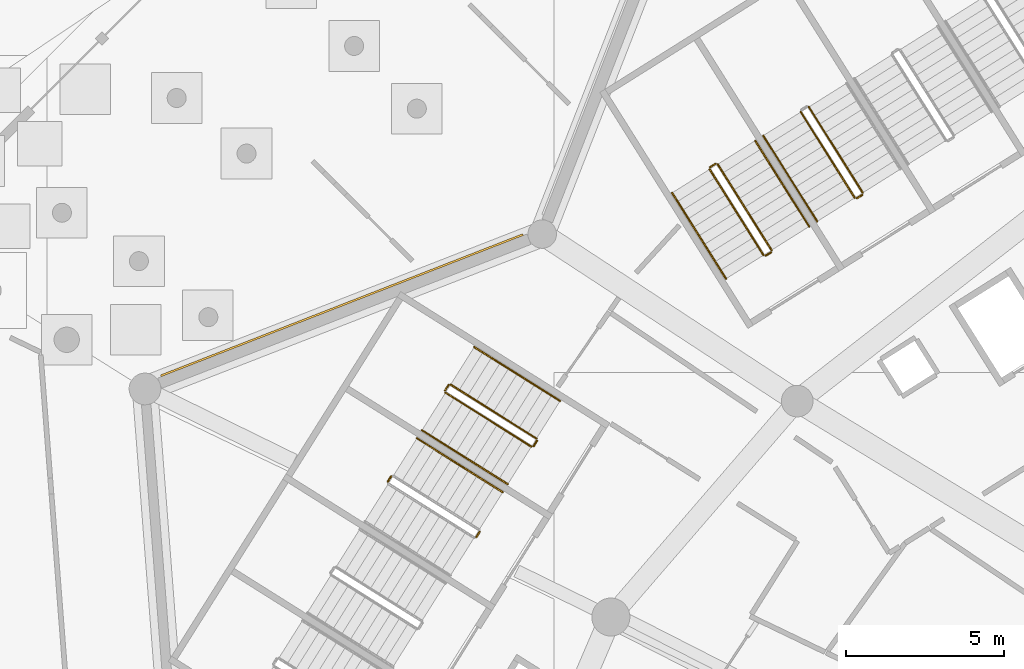
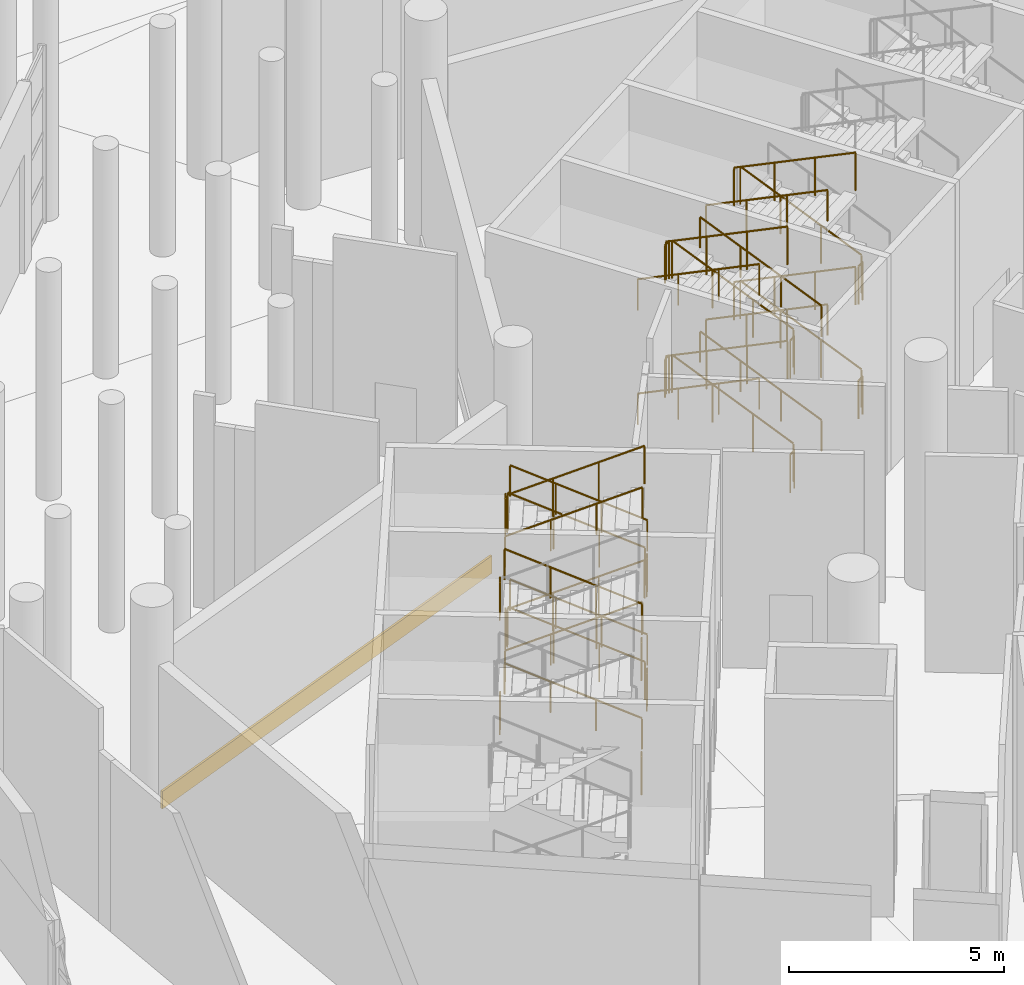
# One storey, part 232 of 255: 38 railings, 1 covering.
"""IFC4 building model written with IfcOpenShell, lengths in metres."""

from ifc_helpers import new_model, si_unit, direction, frame, origin, origin_2d, place, context, subcontext, project, spatial, rectangle, circle, extrude, material, layer, layer_set, type_object, element, save


model = new_model("IFC4")

# Units and contexts
model_context = context("Model", 3, precision=1e-05, world=origin(), true_north=direction((0.0, 1.0)))
body_context = subcontext(model_context, "Body", "Model", "MODEL_VIEW")
ifc_project = project(units=[si_unit("LENGTHUNIT", "METRE"), si_unit("AREAUNIT", "SQUARE_METRE"), si_unit("VOLUMEUNIT", "CUBIC_METRE"), si_unit("PLANEANGLEUNIT", "RADIAN"), si_unit("MASSUNIT", "GRAM", prefix="KILO")], contexts=[model_context])

# Site, building, storey
site_placement = place(None, origin())
site = spatial("IfcSite", under=ifc_project, at=site_placement, CompositionType="ELEMENT")
building_placement = place(site_placement, origin())
building = spatial("IfcBuilding", under=site, at=building_placement, Name="Meseta Stadium", CompositionType="ELEMENT")
storey_placement = place(building_placement, origin())
storey = spatial("IfcBuildingStorey", under=building, at=storey_placement, Name="L00", CompositionType="ELEMENT", Elevation=0.0)

# Covering
ifc_material_1 = material(Name="Guadarrama granite cladding", Category="masonry")
ifc_layer = layer(ifc_material_1, 0.06005859375)
ifc_layer_set = layer_set([ifc_layer], Name="Granite plinth cladding 60")
covering_type = type_object("IfcCoveringType", Name="Granite plinth cladding 60", PredefinedType="CLADDING", material=ifc_layer_set)
covering_placement = place(storey_placement, frame((-86.688232421875, 82.1201171875, 0.0), z_axis=(0.0, 0.0, 1.0), x_axis=(0.931679815252, 0.363280500237, 0.0)))
element("IfcCovering", 1, at=covering_placement, inside=storey, type_object=covering_type, Name="Granite plinth L00 F25", PredefinedType="CLADDING", context=body_context, shape_type="SweptSolid", body=[
    extrude(rectangle(XDim=12.273681640625, YDim=0.06005859375, at=origin_2d()), origin(), (0.0, 0.0, 1.0), 0.5),
])

# Railings
ifc_material_2 = material(Name="Steel S355", Category="steel")
railing_type_1 = type_object("IfcRailingType", Name="Stair guard 1100", PredefinedType="GUARDRAIL", material=ifc_material_2)
railing_1_placement = place(storey_placement, frame((-70.242919921875, 85.669189453125, 0.147705078125)))
element("IfcRailing", 2, at=railing_1_placement, inside=storey, type_object=railing_type_1, Name="ST51 L00 guard 1", PredefinedType="GUARDRAIL", context=body_context, shape_type="SweptSolid", body=[
    extrude(circle(Radius=0.02392578125, at=origin_2d()), frame((0.0, 0.0, 1.076171875), z_axis=(-0.483076039287, 0.768737866935, 0.419141541973), x_axis=(-0.84670136309, -0.53206841829, 0.0)), (0.0, 0.0, 1.0), 3.524658203125),
    extrude(circle(Radius=0.02099609375, at=origin_2d()), origin(), (0.0, 0.0, 1.0), 1.052001953125),
    extrude(circle(Radius=0.02099609375, at=origin_2d()), frame((-0.567626953125, 0.903076171875, 0.492431640625)), (0.0, 0.0, 1.0), 1.052001953125),
    extrude(circle(Radius=0.02099609375, at=origin_2d()), frame((-1.135009765625, 1.806396484375, 0.98486328125)), (0.0, 0.0, 1.0), 1.052001953125),
    extrude(circle(Radius=0.02099609375, at=origin_2d()), frame((-1.70263671875, 2.70947265625, 1.477294921875)), (0.0, 0.0, 1.0), 1.052001953125),
])
railing_2_placement = place(storey_placement, frame((-72.199462890625, 88.218994140625, 1.772705078125)))
element("IfcRailing", 3, at=railing_2_placement, inside=storey, type_object=railing_type_1, Name="ST51 L00 guard 3", PredefinedType="GUARDRAIL", context=body_context, shape_type="SweptSolid", body=[
    extrude(circle(Radius=0.02392578125, at=origin_2d()), frame((0.0, 0.0, 1.076171875), z_axis=(0.483022933061, -0.76876358972, 0.419155566894), x_axis=(0.846735733015, 0.532013720158, 0.0)), (0.0, 0.0, 1.0), 3.5244140625),
    extrude(circle(Radius=0.02099609375, at=origin_2d()), origin(), (0.0, 0.0, 1.0), 1.052001953125),
    extrude(circle(Radius=0.02099609375, at=origin_2d()), frame((0.5673828125, -0.903076171875, 0.492431640625)), (0.0, 0.0, 1.0), 1.052001953125),
    extrude(circle(Radius=0.02099609375, at=origin_2d()), frame((1.135009765625, -1.806396484375, 0.98486328125)), (0.0, 0.0, 1.0), 1.052001953125),
    extrude(circle(Radius=0.02099609375, at=origin_2d()), frame((1.702392578125, -2.70947265625, 1.477294921875)), (0.0, 0.0, 1.0), 1.052001953125),
])
railing_3_placement = place(storey_placement, frame((-70.2587890625, 85.600341796875, 3.25)))
element("IfcRailing", 4, at=railing_3_placement, inside=storey, type_object=railing_type_1, Name="ST51 L00 guard 4", PredefinedType="GUARDRAIL", context=body_context, shape_type="SweptSolid", body=[
    extrude(circle(Radius=0.02392578125, at=origin_2d()), frame((0.0, 0.0, 1.076171875), z_axis=(-0.846416356806, -0.532521690573, 0.0), x_axis=(0.532521690573, -0.846416356806, 0.0)), (0.0, 0.0, 1.0), 0.199951171875),
    extrude(circle(Radius=0.02099609375, at=origin_2d()), origin(), (0.0, 0.0, 1.0), 1.052001953125),
    extrude(circle(Radius=0.02099609375, at=origin_2d()), frame((-0.169189453125, -0.1064453125, 0.0)), (0.0, 0.0, 1.0), 1.052001953125),
])
railing_4_placement = place(storey_placement, frame((-70.242919921875, 85.669189453125, 3.397705078125)))
element("IfcRailing", 5, at=railing_4_placement, inside=storey, type_object=railing_type_1, Name="ST51 L00 guard 5", PredefinedType="GUARDRAIL", context=body_context, shape_type="SweptSolid", body=[
    extrude(circle(Radius=0.02392578125, at=origin_2d()), frame((0.0, 0.0, 1.076171875), z_axis=(-0.483076039287, 0.768737866935, 0.419141541973), x_axis=(-0.84670136309, -0.53206841829, 0.0)), (0.0, 0.0, 1.0), 3.524658203125),
    extrude(circle(Radius=0.02099609375, at=origin_2d()), origin(), (0.0, 0.0, 1.0), 1.052001953125),
    extrude(circle(Radius=0.02099609375, at=origin_2d()), frame((-0.567626953125, 0.903076171875, 0.492431640625)), (0.0, 0.0, 1.0), 1.052001953125),
    extrude(circle(Radius=0.02099609375, at=origin_2d()), frame((-1.135009765625, 1.806396484375, 0.98486328125)), (0.0, 0.0, 1.0), 1.052001953125),
    extrude(circle(Radius=0.02099609375, at=origin_2d()), frame((-1.70263671875, 2.70947265625, 1.477294921875)), (0.0, 0.0, 1.0), 1.052001953125),
])
railing_5_placement = place(storey_placement, frame((-72.199462890625, 88.218994140625, 5.022705078125)))
element("IfcRailing", 6, at=railing_5_placement, inside=storey, type_object=railing_type_1, Name="ST51 L00 guard 7", PredefinedType="GUARDRAIL", context=body_context, shape_type="SweptSolid", body=[
    extrude(circle(Radius=0.02392578125, at=origin_2d()), frame((0.0, 0.0, 1.076171875), z_axis=(0.483022933061, -0.76876358972, 0.419155566894), x_axis=(0.846735733015, 0.532013720158, 0.0)), (0.0, 0.0, 1.0), 3.5244140625),
    extrude(circle(Radius=0.02099609375, at=origin_2d()), origin(), (0.0, 0.0, 1.0), 1.052001953125),
    extrude(circle(Radius=0.02099609375, at=origin_2d()), frame((0.5673828125, -0.903076171875, 0.492431640625)), (0.0, 0.0, 1.0), 1.052001953125),
    extrude(circle(Radius=0.02099609375, at=origin_2d()), frame((1.135009765625, -1.806396484375, 0.98486328125)), (0.0, 0.0, 1.0), 1.052001953125),
    extrude(circle(Radius=0.02099609375, at=origin_2d()), frame((1.702392578125, -2.70947265625, 1.477294921875)), (0.0, 0.0, 1.0), 1.052001953125),
])
railing_6_placement = place(storey_placement, frame((-70.2587890625, 85.600341796875, 0.0)))
element("IfcRailing", 7, at=railing_6_placement, inside=storey, type_object=railing_type_1, Name="ST51 L00 guard 8", PredefinedType="GUARDRAIL", context=body_context, shape_type="SweptSolid", body=[
    extrude(circle(Radius=0.02392578125, at=origin_2d()), frame((0.0, 0.0, 1.076171875), z_axis=(-0.846416356806, -0.532521690573, 0.0), x_axis=(0.532521690573, -0.846416356806, 0.0)), (0.0, 0.0, 1.0), 0.199951171875),
    extrude(circle(Radius=0.02099609375, at=origin_2d()), origin(), (0.0, 0.0, 1.0), 1.052001953125),
    extrude(circle(Radius=0.02099609375, at=origin_2d()), frame((-0.169189453125, -0.1064453125, 0.0)), (0.0, 0.0, 1.0), 1.052001953125),
])
railing_7_placement = place(storey_placement, frame((-73.121826171875, 83.8603515625, 0.147705078125)))
element("IfcRailing", 8, at=railing_7_placement, inside=storey, type_object=railing_type_1, Name="ST52 L00 guard 1", PredefinedType="GUARDRAIL", context=body_context, shape_type="SweptSolid", body=[
    extrude(circle(Radius=0.02392578125, at=origin_2d()), frame((0.0, 0.0, 1.076171875), z_axis=(-0.483076039287, 0.768737866935, 0.419141541973), x_axis=(-0.84670136309, -0.53206841829, 0.0)), (0.0, 0.0, 1.0), 3.524658203125),
    extrude(circle(Radius=0.02099609375, at=origin_2d()), origin(), (0.0, 0.0, 1.0), 1.052001953125),
    extrude(circle(Radius=0.02099609375, at=origin_2d()), frame((-0.567626953125, 0.903076171875, 0.492431640625)), (0.0, 0.0, 1.0), 1.052001953125),
    extrude(circle(Radius=0.02099609375, at=origin_2d()), frame((-1.135009765625, 1.806396484375, 0.98486328125)), (0.0, 0.0, 1.0), 1.052001953125),
    extrude(circle(Radius=0.02099609375, at=origin_2d()), frame((-1.70263671875, 2.70947265625, 1.477294921875)), (0.0, 0.0, 1.0), 1.052001953125),
])
railing_8_placement = place(storey_placement, frame((-74.893310546875, 86.58544921875, 1.625)))
element("IfcRailing", 9, at=railing_8_placement, inside=storey, type_object=railing_type_1, Name="ST52 L00 guard 2", PredefinedType="GUARDRAIL", context=body_context, shape_type="SweptSolid", body=[
    extrude(circle(Radius=0.02392578125, at=origin_2d()), frame((0.0, 0.0, 1.076171875), z_axis=(-0.846762178531, -0.531971628011, 0.0), x_axis=(0.531971628011, -0.846762178531, 0.0)), (0.0, 0.0, 1.0), 0.2001953125),
    extrude(circle(Radius=0.02099609375, at=origin_2d()), origin(), (0.0, 0.0, 1.0), 1.052001953125),
    extrude(circle(Radius=0.02099609375, at=origin_2d()), frame((-0.16943359375, -0.1064453125, 0.0)), (0.0, 0.0, 1.0), 1.052001953125),
])
railing_9_placement = place(storey_placement, frame((-75.078369140625, 86.41015625, 1.772705078125)))
element("IfcRailing", 10, at=railing_9_placement, inside=storey, type_object=railing_type_1, Name="ST52 L00 guard 3", PredefinedType="GUARDRAIL", context=body_context, shape_type="SweptSolid", body=[
    extrude(circle(Radius=0.02392578125, at=origin_2d()), frame((0.0, 0.0, 1.076171875), z_axis=(0.483022933061, -0.76876358972, 0.419155566894), x_axis=(0.846735733015, 0.532013720158, 0.0)), (0.0, 0.0, 1.0), 3.5244140625),
    extrude(circle(Radius=0.02099609375, at=origin_2d()), origin(), (0.0, 0.0, 1.0), 1.052001953125),
    extrude(circle(Radius=0.02099609375, at=origin_2d()), frame((0.5673828125, -0.903076171875, 0.492431640625)), (0.0, 0.0, 1.0), 1.052001953125),
    extrude(circle(Radius=0.02099609375, at=origin_2d()), frame((1.135009765625, -1.806396484375, 0.98486328125)), (0.0, 0.0, 1.0), 1.052001953125),
    extrude(circle(Radius=0.02099609375, at=origin_2d()), frame((1.702392578125, -2.70947265625, 1.477294921875)), (0.0, 0.0, 1.0), 1.052001953125),
])
railing_10_placement = place(storey_placement, frame((-73.1376953125, 83.791259765625, 3.25)))
element("IfcRailing", 11, at=railing_10_placement, inside=storey, type_object=railing_type_1, Name="ST52 L00 guard 4", PredefinedType="GUARDRAIL", context=body_context, shape_type="SweptSolid", body=[
    extrude(circle(Radius=0.02392578125, at=origin_2d()), frame((0.0, 0.0, 1.076171875), z_axis=(-0.846416356806, -0.532521690573, 0.0), x_axis=(0.532521690573, -0.846416356806, 0.0)), (0.0, 0.0, 1.0), 0.199951171875),
    extrude(circle(Radius=0.02099609375, at=origin_2d()), origin(), (0.0, 0.0, 1.0), 1.052001953125),
    extrude(circle(Radius=0.02099609375, at=origin_2d()), frame((-0.169189453125, -0.1064453125, 0.0)), (0.0, 0.0, 1.0), 1.052001953125),
])
railing_11_placement = place(storey_placement, frame((-73.121826171875, 83.8603515625, 3.397705078125)))
element("IfcRailing", 12, at=railing_11_placement, inside=storey, type_object=railing_type_1, Name="ST52 L00 guard 5", PredefinedType="GUARDRAIL", context=body_context, shape_type="SweptSolid", body=[
    extrude(circle(Radius=0.02392578125, at=origin_2d()), frame((0.0, 0.0, 1.076171875), z_axis=(-0.483076039287, 0.768737866935, 0.419141541973), x_axis=(-0.84670136309, -0.53206841829, 0.0)), (0.0, 0.0, 1.0), 3.524658203125),
    extrude(circle(Radius=0.02099609375, at=origin_2d()), origin(), (0.0, 0.0, 1.0), 1.052001953125),
    extrude(circle(Radius=0.02099609375, at=origin_2d()), frame((-0.567626953125, 0.903076171875, 0.492431640625)), (0.0, 0.0, 1.0), 1.052001953125),
    extrude(circle(Radius=0.02099609375, at=origin_2d()), frame((-1.135009765625, 1.806396484375, 0.98486328125)), (0.0, 0.0, 1.0), 1.052001953125),
    extrude(circle(Radius=0.02099609375, at=origin_2d()), frame((-1.70263671875, 2.70947265625, 1.477294921875)), (0.0, 0.0, 1.0), 1.052001953125),
])
railing_12_placement = place(storey_placement, frame((-74.893310546875, 86.58544921875, 4.875)))
element("IfcRailing", 13, at=railing_12_placement, inside=storey, type_object=railing_type_1, Name="ST52 L00 guard 6", PredefinedType="GUARDRAIL", context=body_context, shape_type="SweptSolid", body=[
    extrude(circle(Radius=0.02392578125, at=origin_2d()), frame((0.0, 0.0, 1.076171875), z_axis=(-0.846762178531, -0.531971628011, 0.0), x_axis=(0.531971628011, -0.846762178531, 0.0)), (0.0, 0.0, 1.0), 0.2001953125),
    extrude(circle(Radius=0.02099609375, at=origin_2d()), origin(), (0.0, 0.0, 1.0), 1.052001953125),
    extrude(circle(Radius=0.02099609375, at=origin_2d()), frame((-0.16943359375, -0.1064453125, 0.0)), (0.0, 0.0, 1.0), 1.052001953125),
])
railing_13_placement = place(storey_placement, frame((-75.078369140625, 86.41015625, 5.022705078125)))
element("IfcRailing", 14, at=railing_13_placement, inside=storey, type_object=railing_type_1, Name="ST52 L00 guard 7", PredefinedType="GUARDRAIL", context=body_context, shape_type="SweptSolid", body=[
    extrude(circle(Radius=0.02392578125, at=origin_2d()), frame((0.0, 0.0, 1.076171875), z_axis=(0.483022933061, -0.76876358972, 0.419155566894), x_axis=(0.846735733015, 0.532013720158, 0.0)), (0.0, 0.0, 1.0), 3.5244140625),
    extrude(circle(Radius=0.02099609375, at=origin_2d()), origin(), (0.0, 0.0, 1.0), 1.052001953125),
    extrude(circle(Radius=0.02099609375, at=origin_2d()), frame((0.5673828125, -0.903076171875, 0.492431640625)), (0.0, 0.0, 1.0), 1.052001953125),
    extrude(circle(Radius=0.02099609375, at=origin_2d()), frame((1.135009765625, -1.806396484375, 0.98486328125)), (0.0, 0.0, 1.0), 1.052001953125),
    extrude(circle(Radius=0.02099609375, at=origin_2d()), frame((1.702392578125, -2.70947265625, 1.477294921875)), (0.0, 0.0, 1.0), 1.052001953125),
])
railing_14_placement = place(storey_placement, frame((-73.1376953125, 83.791259765625, 0.0)))
element("IfcRailing", 15, at=railing_14_placement, inside=storey, type_object=railing_type_1, Name="ST52 L00 guard 8", PredefinedType="GUARDRAIL", context=body_context, shape_type="SweptSolid", body=[
    extrude(circle(Radius=0.02392578125, at=origin_2d()), frame((0.0, 0.0, 1.076171875), z_axis=(-0.846416356806, -0.532521690573, 0.0), x_axis=(0.532521690573, -0.846416356806, 0.0)), (0.0, 0.0, 1.0), 0.199951171875),
    extrude(circle(Radius=0.02099609375, at=origin_2d()), origin(), (0.0, 0.0, 1.0), 1.052001953125),
    extrude(circle(Radius=0.02099609375, at=origin_2d()), frame((-0.169189453125, -0.1064453125, 0.0)), (0.0, 0.0, 1.0), 1.052001953125),
])
railing_15_placement = place(storey_placement, frame((-80.54736328125, 77.907958984375, 0.147705078125)))
element("IfcRailing", 16, at=railing_15_placement, inside=storey, type_object=railing_type_1, Name="ST53 L00 guard 1", PredefinedType="GUARDRAIL", context=body_context, shape_type="SweptSolid", body=[
    extrude(circle(Radius=0.02392578125, at=origin_2d()), frame((0.0, 0.0, 1.076171875), z_axis=(-0.76876358972, 0.483022933061, 0.419155566894), x_axis=(-0.532013720158, -0.846735733015, 0.0)), (0.0, 0.0, 1.0), 3.5244140625),
    extrude(circle(Radius=0.02099609375, at=origin_2d()), origin(), (0.0, 0.0, 1.0), 1.052001953125),
    extrude(circle(Radius=0.02099609375, at=origin_2d()), frame((-0.903076171875, 0.5673828125, 0.492431640625)), (0.0, 0.0, 1.0), 1.052001953125),
    extrude(circle(Radius=0.02099609375, at=origin_2d()), frame((-1.806396484375, 1.135009765625, 0.98486328125)), (0.0, 0.0, 1.0), 1.052001953125),
    extrude(circle(Radius=0.02099609375, at=origin_2d()), frame((-2.70947265625, 1.702392578125, 1.477294921875)), (0.0, 0.0, 1.0), 1.052001953125),
])
railing_16_placement = place(storey_placement, frame((-83.325927734375, 79.5947265625, 1.625)))
element("IfcRailing", 17, at=railing_16_placement, inside=storey, type_object=railing_type_1, Name="ST53 L00 guard 2", PredefinedType="GUARDRAIL", context=body_context, shape_type="SweptSolid", body=[
    extrude(circle(Radius=0.02392578125, at=origin_2d()), frame((0.0, 0.0, 1.076171875), z_axis=(-0.531095943551, -0.847311689252, 0.0), x_axis=(0.847311689252, -0.531095943551, 0.0)), (0.0, 0.0, 1.0), 0.199951171875),
    extrude(circle(Radius=0.02099609375, at=origin_2d()), origin(), (0.0, 0.0, 1.0), 1.052001953125),
    extrude(circle(Radius=0.02099609375, at=origin_2d()), frame((-0.106201171875, -0.16943359375, 0.0)), (0.0, 0.0, 1.0), 1.052001953125),
])
railing_17_placement = place(storey_placement, frame((-83.41650390625, 79.3564453125, 1.772705078125)))
element("IfcRailing", 18, at=railing_17_placement, inside=storey, type_object=railing_type_1, Name="ST53 L00 guard 3", PredefinedType="GUARDRAIL", context=body_context, shape_type="SweptSolid", body=[
    extrude(circle(Radius=0.02392578125, at=origin_2d()), frame((0.0, 0.0, 1.076171875), z_axis=(0.768737866935, -0.483076039287, 0.419141541973), x_axis=(0.53206841829, 0.84670136309, 0.0)), (0.0, 0.0, 1.0), 3.524658203125),
    extrude(circle(Radius=0.02099609375, at=origin_2d()), origin(), (0.0, 0.0, 1.0), 1.052001953125),
    extrude(circle(Radius=0.02099609375, at=origin_2d()), frame((0.903076171875, -0.567626953125, 0.492431640625)), (0.0, 0.0, 1.0), 1.052001953125),
    extrude(circle(Radius=0.02099609375, at=origin_2d()), frame((1.806396484375, -1.135009765625, 0.98486328125)), (0.0, 0.0, 1.0), 1.052001953125),
    extrude(circle(Radius=0.02099609375, at=origin_2d()), frame((2.70947265625, -1.70263671875, 1.477294921875)), (0.0, 0.0, 1.0), 1.052001953125),
])
railing_18_placement = place(storey_placement, frame((-80.53173828125, 77.8388671875, 3.25)))
element("IfcRailing", 19, at=railing_18_placement, inside=storey, type_object=railing_type_1, Name="ST53 L00 guard 4", PredefinedType="GUARDRAIL", context=body_context, shape_type="SweptSolid", body=[
    extrude(circle(Radius=0.02392578125, at=origin_2d()), frame((0.0, 0.0, 1.076171875), z_axis=(-0.531645814745, -0.846966780732, 0.0), x_axis=(0.846966780732, -0.531645814745, 0.0)), (0.0, 0.0, 1.0), 0.19970703125),
    extrude(circle(Radius=0.02099609375, at=origin_2d()), origin(), (0.0, 0.0, 1.0), 1.052001953125),
    extrude(circle(Radius=0.02099609375, at=origin_2d()), frame((-0.106201171875, -0.169189453125, 0.0)), (0.0, 0.0, 1.0), 1.052001953125),
])
railing_19_placement = place(storey_placement, frame((-80.54736328125, 77.907958984375, 3.397705078125)))
element("IfcRailing", 20, at=railing_19_placement, inside=storey, type_object=railing_type_1, Name="ST53 L00 guard 5", PredefinedType="GUARDRAIL", context=body_context, shape_type="SweptSolid", body=[
    extrude(circle(Radius=0.02392578125, at=origin_2d()), frame((0.0, 0.0, 1.076171875), z_axis=(-0.76876358972, 0.483022933061, 0.419155566894), x_axis=(-0.532013720158, -0.846735733015, 0.0)), (0.0, 0.0, 1.0), 3.5244140625),
    extrude(circle(Radius=0.02099609375, at=origin_2d()), origin(), (0.0, 0.0, 1.0), 1.052001953125),
    extrude(circle(Radius=0.02099609375, at=origin_2d()), frame((-0.903076171875, 0.5673828125, 0.492431640625)), (0.0, 0.0, 1.0), 1.052001953125),
    extrude(circle(Radius=0.02099609375, at=origin_2d()), frame((-1.806396484375, 1.135009765625, 0.98486328125)), (0.0, 0.0, 1.0), 1.052001953125),
    extrude(circle(Radius=0.02099609375, at=origin_2d()), frame((-2.70947265625, 1.702392578125, 1.477294921875)), (0.0, 0.0, 1.0), 1.052001953125),
])
railing_20_placement = place(storey_placement, frame((-83.325927734375, 79.5947265625, 4.875)))
element("IfcRailing", 21, at=railing_20_placement, inside=storey, type_object=railing_type_1, Name="ST53 L00 guard 6", PredefinedType="GUARDRAIL", context=body_context, shape_type="SweptSolid", body=[
    extrude(circle(Radius=0.02392578125, at=origin_2d()), frame((0.0, 0.0, 1.076171875), z_axis=(-0.531095943551, -0.847311689252, 0.0), x_axis=(0.847311689252, -0.531095943551, 0.0)), (0.0, 0.0, 1.0), 0.199951171875),
    extrude(circle(Radius=0.02099609375, at=origin_2d()), origin(), (0.0, 0.0, 1.0), 1.052001953125),
    extrude(circle(Radius=0.02099609375, at=origin_2d()), frame((-0.106201171875, -0.16943359375, 0.0)), (0.0, 0.0, 1.0), 1.052001953125),
])
railing_21_placement = place(storey_placement, frame((-83.41650390625, 79.3564453125, 5.022705078125)))
element("IfcRailing", 22, at=railing_21_placement, inside=storey, type_object=railing_type_1, Name="ST53 L00 guard 7", PredefinedType="GUARDRAIL", context=body_context, shape_type="SweptSolid", body=[
    extrude(circle(Radius=0.02392578125, at=origin_2d()), frame((0.0, 0.0, 1.076171875), z_axis=(0.768737866935, -0.483076039287, 0.419141541973), x_axis=(0.53206841829, 0.84670136309, 0.0)), (0.0, 0.0, 1.0), 3.524658203125),
    extrude(circle(Radius=0.02099609375, at=origin_2d()), origin(), (0.0, 0.0, 1.0), 1.052001953125),
    extrude(circle(Radius=0.02099609375, at=origin_2d()), frame((0.903076171875, -0.567626953125, 0.492431640625)), (0.0, 0.0, 1.0), 1.052001953125),
    extrude(circle(Radius=0.02099609375, at=origin_2d()), frame((1.806396484375, -1.135009765625, 0.98486328125)), (0.0, 0.0, 1.0), 1.052001953125),
    extrude(circle(Radius=0.02099609375, at=origin_2d()), frame((2.70947265625, -1.70263671875, 1.477294921875)), (0.0, 0.0, 1.0), 1.052001953125),
])
railing_22_placement = place(storey_placement, frame((-80.53173828125, 77.8388671875, 0.0)))
element("IfcRailing", 23, at=railing_22_placement, inside=storey, type_object=railing_type_1, Name="ST53 L00 guard 8", PredefinedType="GUARDRAIL", context=body_context, shape_type="SweptSolid", body=[
    extrude(circle(Radius=0.02392578125, at=origin_2d()), frame((0.0, 0.0, 1.076171875), z_axis=(-0.531645814745, -0.846966780732, 0.0), x_axis=(0.846966780732, -0.531645814745, 0.0)), (0.0, 0.0, 1.0), 0.19970703125),
    extrude(circle(Radius=0.02099609375, at=origin_2d()), origin(), (0.0, 0.0, 1.0), 1.052001953125),
    extrude(circle(Radius=0.02099609375, at=origin_2d()), frame((-0.106201171875, -0.169189453125, 0.0)), (0.0, 0.0, 1.0), 1.052001953125),
])
for number, where, name in (
    (24, (-85.134765625, 76.7158203125, 1.625), "ST54 L00 guard 2"),
    (25, (-82.340576171875, 74.960205078125, 3.25), "ST54 L00 guard 4"),
    (26, (-85.134765625, 76.7158203125, 4.875), "ST54 L00 guard 6"),
    (27, (-82.340576171875, 74.960205078125, 0.0), "ST54 L00 guard 8"),
):
    element("IfcRailing", number, at=place(storey_placement, frame(where)), inside=storey, type_object=railing_type_1, Name=name, PredefinedType="GUARDRAIL", context=body_context, shape_type="SweptSolid", body=[
        extrude(circle(Radius=0.02392578125, at=origin_2d()), frame((0.0, 0.0, 1.076171875), z_axis=(-0.531971628011, -0.846762178531, 0.0), x_axis=(0.846762178531, -0.531971628011, 0.0)), (0.0, 0.0, 1.0), 0.2001953125),
        extrude(circle(Radius=0.02099609375, at=origin_2d()), origin(), (0.0, 0.0, 1.0), 1.052001953125),
        extrude(circle(Radius=0.02099609375, at=origin_2d()), frame((-0.1064453125, -0.16943359375, 0.0)), (0.0, 0.0, 1.0), 1.052001953125),
    ])
ifc_material_3 = material(Name="Steel S355", Category="steel")
railing_type_2 = type_object("IfcRailingType", Name="Stair handrail 900", PredefinedType="HANDRAIL", material=ifc_material_3)
for number, where, name in (
    (28, (-73.385009765625, 87.47412109375, 1.772705078125), "ST51 L00 handrail 2"),
    (29, (-73.385009765625, 87.47412109375, 5.022705078125), "ST51 L00 handrail 4"),
):
    element("IfcRailing", number, at=place(storey_placement, frame(where)), inside=storey, type_object=railing_type_2, Name=name, PredefinedType="HANDRAIL", context=body_context, shape_type="SweptSolid", body=[
        extrude(circle(Radius=0.02392578125, at=origin_2d()), frame((0.0, 0.0, 0.8759765625), z_axis=(0.483076039287, -0.768737866935, 0.419141541973), x_axis=(0.84670136309, 0.53206841829, 0.0)), (0.0, 0.0, 1.0), 3.524658203125),
        extrude(circle(Radius=0.02099609375, at=origin_2d()), origin(), (0.0, 0.0, 1.0), 0.851806640625),
        extrude(circle(Radius=0.02099609375, at=origin_2d()), frame((0.567626953125, -0.903076171875, 0.492431640625)), (0.0, 0.0, 1.0), 0.851806640625),
        extrude(circle(Radius=0.02099609375, at=origin_2d()), frame((1.135009765625, -1.806396484375, 0.98486328125)), (0.0, 0.0, 1.0), 0.851806640625),
        extrude(circle(Radius=0.02099609375, at=origin_2d()), frame((1.70263671875, -2.70947265625, 1.477294921875)), (0.0, 0.0, 1.0), 0.851806640625),
    ])
railing_23_placement = place(storey_placement, frame((-71.9365234375, 84.60498046875, 0.147705078125)))
element("IfcRailing", 30, at=railing_23_placement, inside=storey, type_object=railing_type_2, Name="ST52 L00 handrail 1", PredefinedType="HANDRAIL", context=body_context, shape_type="SweptSolid", body=[
    extrude(circle(Radius=0.02392578125, at=origin_2d()), frame((0.0, 0.0, 0.8759765625), z_axis=(-0.482997211726, 0.768791919252, 0.419133246544), x_axis=(-0.846757325705, -0.531979352387, 0.0)), (0.0, 0.0, 1.0), 3.524658203125),
    extrude(circle(Radius=0.02099609375, at=origin_2d()), origin(), (0.0, 0.0, 1.0), 0.851806640625),
    extrude(circle(Radius=0.02099609375, at=origin_2d()), frame((-0.5673828125, 0.9033203125, 0.492431640625)), (0.0, 0.0, 1.0), 0.851806640625),
    extrude(circle(Radius=0.02099609375, at=origin_2d()), frame((-1.135009765625, 1.806396484375, 0.98486328125)), (0.0, 0.0, 1.0), 0.851806640625),
    extrude(circle(Radius=0.02099609375, at=origin_2d()), frame((-1.702392578125, 2.709716796875, 1.477294921875)), (0.0, 0.0, 1.0), 0.851806640625),
])
railing_24_placement = place(storey_placement, frame((-76.263916015625, 85.665283203125, 1.772705078125)))
element("IfcRailing", 31, at=railing_24_placement, inside=storey, type_object=railing_type_2, Name="ST52 L00 handrail 2", PredefinedType="HANDRAIL", context=body_context, shape_type="SweptSolid", body=[
    extrude(circle(Radius=0.02392578125, at=origin_2d()), frame((0.0, 0.0, 0.8759765625), z_axis=(0.483076039287, -0.768737866935, 0.419141541973), x_axis=(0.84670136309, 0.53206841829, 0.0)), (0.0, 0.0, 1.0), 3.524658203125),
    extrude(circle(Radius=0.02099609375, at=origin_2d()), origin(), (0.0, 0.0, 1.0), 0.851806640625),
    extrude(circle(Radius=0.02099609375, at=origin_2d()), frame((0.567626953125, -0.903076171875, 0.492431640625)), (0.0, 0.0, 1.0), 0.851806640625),
    extrude(circle(Radius=0.02099609375, at=origin_2d()), frame((1.135009765625, -1.806396484375, 0.98486328125)), (0.0, 0.0, 1.0), 0.851806640625),
    extrude(circle(Radius=0.02099609375, at=origin_2d()), frame((1.70263671875, -2.70947265625, 1.477294921875)), (0.0, 0.0, 1.0), 0.851806640625),
])
railing_25_placement = place(storey_placement, frame((-71.9365234375, 84.60498046875, 3.397705078125)))
element("IfcRailing", 32, at=railing_25_placement, inside=storey, type_object=railing_type_2, Name="ST52 L00 handrail 3", PredefinedType="HANDRAIL", context=body_context, shape_type="SweptSolid", body=[
    extrude(circle(Radius=0.02392578125, at=origin_2d()), frame((0.0, 0.0, 0.8759765625), z_axis=(-0.482997211726, 0.768791919252, 0.419133246544), x_axis=(-0.846757325705, -0.531979352387, 0.0)), (0.0, 0.0, 1.0), 3.524658203125),
    extrude(circle(Radius=0.02099609375, at=origin_2d()), origin(), (0.0, 0.0, 1.0), 0.851806640625),
    extrude(circle(Radius=0.02099609375, at=origin_2d()), frame((-0.5673828125, 0.9033203125, 0.492431640625)), (0.0, 0.0, 1.0), 0.851806640625),
    extrude(circle(Radius=0.02099609375, at=origin_2d()), frame((-1.135009765625, 1.806396484375, 0.98486328125)), (0.0, 0.0, 1.0), 0.851806640625),
    extrude(circle(Radius=0.02099609375, at=origin_2d()), frame((-1.702392578125, 2.709716796875, 1.477294921875)), (0.0, 0.0, 1.0), 0.851806640625),
])
railing_26_placement = place(storey_placement, frame((-76.263916015625, 85.665283203125, 5.022705078125)))
element("IfcRailing", 33, at=railing_26_placement, inside=storey, type_object=railing_type_2, Name="ST52 L00 handrail 4", PredefinedType="HANDRAIL", context=body_context, shape_type="SweptSolid", body=[
    extrude(circle(Radius=0.02392578125, at=origin_2d()), frame((0.0, 0.0, 0.8759765625), z_axis=(0.483076039287, -0.768737866935, 0.419141541973), x_axis=(0.84670136309, 0.53206841829, 0.0)), (0.0, 0.0, 1.0), 3.524658203125),
    extrude(circle(Radius=0.02099609375, at=origin_2d()), origin(), (0.0, 0.0, 1.0), 0.851806640625),
    extrude(circle(Radius=0.02099609375, at=origin_2d()), frame((0.567626953125, -0.903076171875, 0.492431640625)), (0.0, 0.0, 1.0), 0.851806640625),
    extrude(circle(Radius=0.02099609375, at=origin_2d()), frame((1.135009765625, -1.806396484375, 0.98486328125)), (0.0, 0.0, 1.0), 0.851806640625),
    extrude(circle(Radius=0.02099609375, at=origin_2d()), frame((1.70263671875, -2.70947265625, 1.477294921875)), (0.0, 0.0, 1.0), 0.851806640625),
])
railing_27_placement = place(storey_placement, frame((-79.802490234375, 79.09326171875, 0.147705078125)))
element("IfcRailing", 34, at=railing_27_placement, inside=storey, type_object=railing_type_2, Name="ST53 L00 handrail 1", PredefinedType="HANDRAIL", context=body_context, shape_type="SweptSolid", body=[
    extrude(circle(Radius=0.02392578125, at=origin_2d()), frame((0.0, 0.0, 0.8759765625), z_axis=(-0.768737866935, 0.483076039287, 0.419141541973), x_axis=(-0.53206841829, -0.84670136309, 0.0)), (0.0, 0.0, 1.0), 3.524658203125),
    extrude(circle(Radius=0.02099609375, at=origin_2d()), origin(), (0.0, 0.0, 1.0), 0.851806640625),
    extrude(circle(Radius=0.02099609375, at=origin_2d()), frame((-0.903076171875, 0.567626953125, 0.492431640625)), (0.0, 0.0, 1.0), 0.851806640625),
    extrude(circle(Radius=0.02099609375, at=origin_2d()), frame((-1.806396484375, 1.135009765625, 0.98486328125)), (0.0, 0.0, 1.0), 0.851806640625),
    extrude(circle(Radius=0.02099609375, at=origin_2d()), frame((-2.70947265625, 1.70263671875, 1.477294921875)), (0.0, 0.0, 1.0), 0.851806640625),
])
railing_28_placement = place(storey_placement, frame((-84.161376953125, 78.1708984375, 1.772705078125)))
element("IfcRailing", 35, at=railing_28_placement, inside=storey, type_object=railing_type_2, Name="ST53 L00 handrail 2", PredefinedType="HANDRAIL", context=body_context, shape_type="SweptSolid", body=[
    extrude(circle(Radius=0.02392578125, at=origin_2d()), frame((0.0, 0.0, 0.8759765625), z_axis=(0.76876358972, -0.483022933061, 0.419155566894), x_axis=(0.532013720158, 0.846735733015, 0.0)), (0.0, 0.0, 1.0), 3.5244140625),
    extrude(circle(Radius=0.02099609375, at=origin_2d()), origin(), (0.0, 0.0, 1.0), 0.851806640625),
    extrude(circle(Radius=0.02099609375, at=origin_2d()), frame((0.903076171875, -0.5673828125, 0.492431640625)), (0.0, 0.0, 1.0), 0.851806640625),
    extrude(circle(Radius=0.02099609375, at=origin_2d()), frame((1.806396484375, -1.135009765625, 0.98486328125)), (0.0, 0.0, 1.0), 0.851806640625),
    extrude(circle(Radius=0.02099609375, at=origin_2d()), frame((2.70947265625, -1.702392578125, 1.477294921875)), (0.0, 0.0, 1.0), 0.851806640625),
])
railing_29_placement = place(storey_placement, frame((-79.802490234375, 79.09326171875, 3.397705078125)))
element("IfcRailing", 36, at=railing_29_placement, inside=storey, type_object=railing_type_2, Name="ST53 L00 handrail 3", PredefinedType="HANDRAIL", context=body_context, shape_type="SweptSolid", body=[
    extrude(circle(Radius=0.02392578125, at=origin_2d()), frame((0.0, 0.0, 0.8759765625), z_axis=(-0.768737866935, 0.483076039287, 0.419141541973), x_axis=(-0.53206841829, -0.84670136309, 0.0)), (0.0, 0.0, 1.0), 3.524658203125),
    extrude(circle(Radius=0.02099609375, at=origin_2d()), origin(), (0.0, 0.0, 1.0), 0.851806640625),
    extrude(circle(Radius=0.02099609375, at=origin_2d()), frame((-0.903076171875, 0.567626953125, 0.492431640625)), (0.0, 0.0, 1.0), 0.851806640625),
    extrude(circle(Radius=0.02099609375, at=origin_2d()), frame((-1.806396484375, 1.135009765625, 0.98486328125)), (0.0, 0.0, 1.0), 0.851806640625),
    extrude(circle(Radius=0.02099609375, at=origin_2d()), frame((-2.70947265625, 1.70263671875, 1.477294921875)), (0.0, 0.0, 1.0), 0.851806640625),
])
railing_30_placement = place(storey_placement, frame((-84.161376953125, 78.1708984375, 5.022705078125)))
element("IfcRailing", 37, at=railing_30_placement, inside=storey, type_object=railing_type_2, Name="ST53 L00 handrail 4", PredefinedType="HANDRAIL", context=body_context, shape_type="SweptSolid", body=[
    extrude(circle(Radius=0.02392578125, at=origin_2d()), frame((0.0, 0.0, 0.8759765625), z_axis=(0.76876358972, -0.483022933061, 0.419155566894), x_axis=(0.532013720158, 0.846735733015, 0.0)), (0.0, 0.0, 1.0), 3.5244140625),
    extrude(circle(Radius=0.02099609375, at=origin_2d()), origin(), (0.0, 0.0, 1.0), 0.851806640625),
    extrude(circle(Radius=0.02099609375, at=origin_2d()), frame((0.903076171875, -0.5673828125, 0.492431640625)), (0.0, 0.0, 1.0), 0.851806640625),
    extrude(circle(Radius=0.02099609375, at=origin_2d()), frame((1.806396484375, -1.135009765625, 0.98486328125)), (0.0, 0.0, 1.0), 0.851806640625),
    extrude(circle(Radius=0.02099609375, at=origin_2d()), frame((2.70947265625, -1.702392578125, 1.477294921875)), (0.0, 0.0, 1.0), 0.851806640625),
])
for number, where, name in (
    (38, (-81.611328125, 76.21435546875, 0.147705078125), "ST54 L00 handrail 1"),
    (39, (-81.611328125, 76.21435546875, 3.397705078125), "ST54 L00 handrail 3"),
):
    element("IfcRailing", number, at=place(storey_placement, frame(where)), inside=storey, type_object=railing_type_2, Name=name, PredefinedType="HANDRAIL", context=body_context, shape_type="SweptSolid", body=[
        extrude(circle(Radius=0.02392578125, at=origin_2d()), frame((0.0, 0.0, 0.8759765625), z_axis=(-0.768766198258, 0.483050316844, 0.419119223864), x_axis=(-0.532034049776, -0.846722959343, 0.0)), (0.0, 0.0, 1.0), 3.524658203125),
        extrude(circle(Radius=0.02099609375, at=origin_2d()), origin(), (0.0, 0.0, 1.0), 0.851806640625),
        extrude(circle(Radius=0.02099609375, at=origin_2d()), frame((-0.9033203125, 0.567626953125, 0.492431640625)), (0.0, 0.0, 1.0), 0.851806640625),
        extrude(circle(Radius=0.02099609375, at=origin_2d()), frame((-1.806396484375, 1.135009765625, 0.98486328125)), (0.0, 0.0, 1.0), 0.851806640625),
        extrude(circle(Radius=0.02099609375, at=origin_2d()), frame((-2.709716796875, 1.70263671875, 1.477294921875)), (0.0, 0.0, 1.0), 0.851806640625),
    ])

save(model, "model.ifc")
